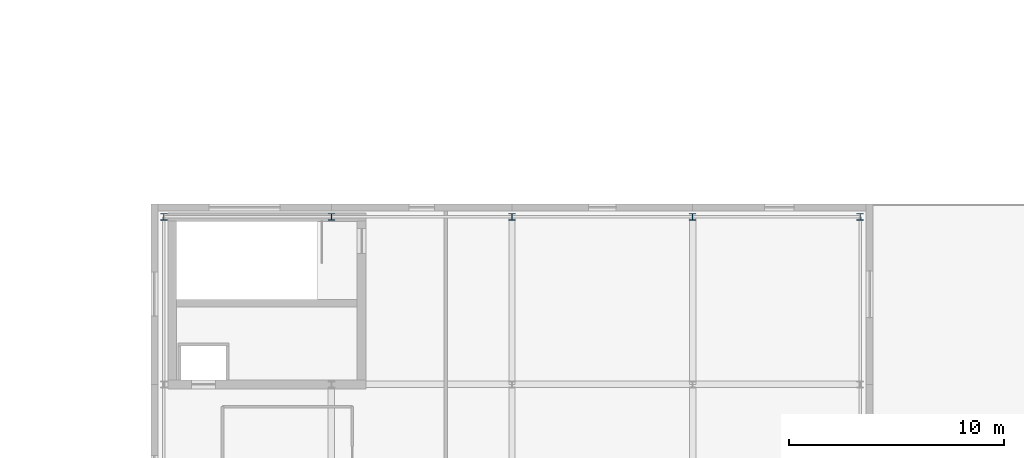
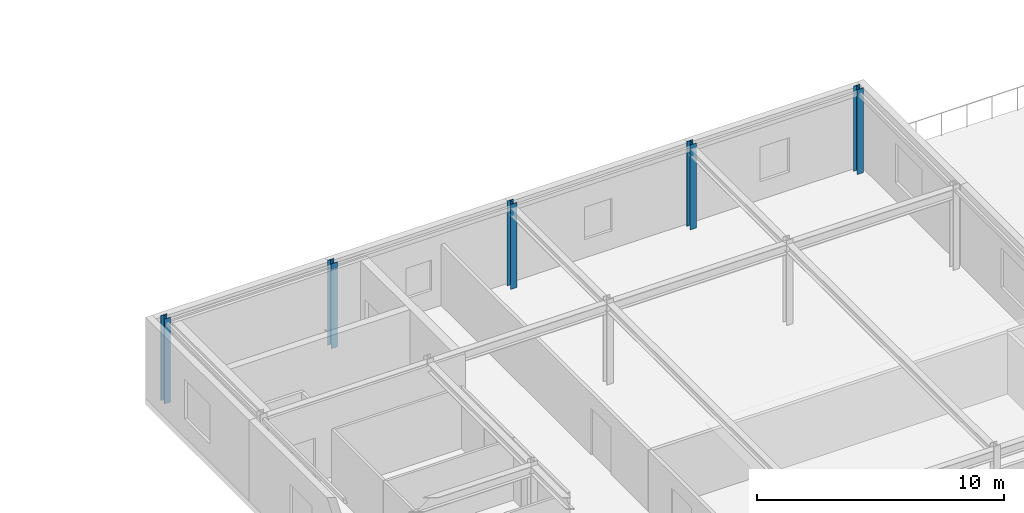
# One storey, part 16 of 127: 5 columns.
"""IFC4 building model written with IfcOpenShell, lengths in metres."""

import ifcopenshell
import ifcopenshell.guid

model = None  # the IFC model being written
_history = None  # IfcOwnerHistory: only IFC2X3 demands one
_inside = {}  # id of a spatial element -> (the spatial element, [elements in it])
_under = {}  # id of a project, library or spatial element -> (it, [spatial elements below it])
_declared = {}  # id of a project -> (the project, [libraries it declares])
_typed = {}  # id of a type object -> (the type object, [elements of that type])
_made_of = {}  # id of a material, layer set ... -> (it, [elements and type objects made of it])


def new_model(schema):
    """Start an empty IFC model of exactly this schema.

    Asked for "IFC4X3", IfcOpenShell would pick the latest addendum, in which some entities
    have other attributes; the version numbers below select the first issue.
    IFC2X3 requires an IfcOwnerHistory on every rooted entity: one is made here for all.
    """
    global model, _history
    if schema == "IFC4X3":
        model = ifcopenshell.file(schema_version=(4, 3, 0, 0))
    else:
        model = ifcopenshell.file(schema=schema)
    _inside.clear()
    _under.clear()
    _declared.clear()
    _typed.clear()
    _made_of.clear()
    _history = None
    if model.schema == "IFC2X3":
        org = make("IfcOrganization", Name="unknown")
        user = make(
            "IfcPersonAndOrganization",
            ThePerson=make("IfcPerson", FamilyName="unknown"),
            TheOrganization=org,
        )
        app = make(
            "IfcApplication",
            ApplicationDeveloper=org,
            Version="unknown",
            ApplicationFullName="unknown",
            ApplicationIdentifier="unknown",
        )
        _history = make(
            "IfcOwnerHistory",
            OwningUser=user,
            OwningApplication=app,
            ChangeAction="ADDED",
            CreationDate=0,
        )
    return model


def make(cls, **values):
    """One entity of the class cls with the attributes given. An attribute that is None is left unset."""
    return model.create_entity(
        cls, **{name: value for name, value in values.items() if value is not None}
    )


def rooted(cls, **values):
    """An entity with a GlobalId (a new one), such as an element, a storey or a relation."""
    return make(cls, GlobalId=ifcopenshell.guid.new(), OwnerHistory=_history, **values)


def si_unit(unit_type, name, prefix=None):
    """IfcSIUnit, for example si_unit("LENGTHUNIT", "METRE", prefix="MILLI")."""
    return make("IfcSIUnit", UnitType=unit_type, Prefix=prefix, Name=name)


def assignment(units):
    """IfcUnitAssignment: the units of a project."""
    return None if units is None else make("IfcUnitAssignment", Units=units)


def point(xyz):
    """IfcCartesianPoint."""
    return None if xyz is None else make("IfcCartesianPoint", Coordinates=xyz)


def direction(xyz):
    """IfcDirection."""
    return None if xyz is None else make("IfcDirection", DirectionRatios=xyz)


def frame(location, z_axis=None, x_axis=None):
    """IfcAxis2Placement3D, a coordinate frame: its origin and axes. An axis left out is left unset."""
    return make(
        "IfcAxis2Placement3D",
        Location=point(location),
        Axis=direction(z_axis),
        RefDirection=direction(x_axis),
    )


def frame_2d(location, x_axis=None):
    """IfcAxis2Placement2D, a coordinate frame in the plane: its origin and x axis."""
    return make(
        "IfcAxis2Placement2D", Location=point(location), RefDirection=direction(x_axis)
    )


def origin():
    """The frame at (0, 0, 0) with its axes left unset."""
    return frame((0.0, 0.0, 0.0))


def origin_2d():
    """The frame at (0, 0) in the plane with its x axis left unset."""
    return frame_2d((0.0, 0.0))


def place(relative_to, where):
    """IfcLocalPlacement: puts the frame where relative to a parent placement (None: the world)."""
    return make(
        "IfcLocalPlacement", PlacementRelTo=relative_to, RelativePlacement=where
    )


def context(
    kind, dimensions, precision=None, world=None, true_north=None, identifier=None
):
    """IfcGeometricRepresentationContext, for example the 3D "Model" context."""
    return make(
        "IfcGeometricRepresentationContext",
        ContextIdentifier=identifier,
        ContextType=kind,
        CoordinateSpaceDimension=dimensions,
        Precision=precision,
        WorldCoordinateSystem=world,
        TrueNorth=true_north,
    )


def subcontext(parent, identifier, kind, view, scale=None):
    """IfcGeometricRepresentationSubContext, for example "Body" below "Model"."""
    return make(
        "IfcGeometricRepresentationSubContext",
        ContextIdentifier=identifier,
        ContextType=kind,
        ParentContext=parent,
        TargetScale=scale,
        TargetView=view,
    )


def project(units=None, contexts=None):
    """IfcProject with its units and contexts."""
    return rooted(
        "IfcProject",
        Name="project",
        RepresentationContexts=contexts,
        UnitsInContext=assignment(units),
    )


def spatial(cls, under=None, at=None, **own):
    """A site, building, storey or space (cls), placed at a placement, below another one or the project."""
    s = rooted(cls, ObjectPlacement=at, **own)
    if under is not None:
        _under.setdefault(under.id(), (under, []))[1].append(s)
    return s


def profile(cls, at=None, kind="AREA", **sizes):
    """A parametric profile (cls). Its sizes go by their IFC names, for example OverallWidth=200.0."""
    return make(cls, ProfileType=kind, Position=at, **sizes)


def i_section(**sizes):
    """IfcIShapeProfileDef."""
    return profile("IfcIShapeProfileDef", **sizes)


def extrude(swept, where, along, depth):
    """IfcExtrudedAreaSolid: the profile swept, set in the frame where, extruded along a direction by depth."""
    return make(
        "IfcExtrudedAreaSolid",
        SweptArea=swept,
        Position=where,
        ExtrudedDirection=direction(along),
        Depth=depth,
    )


def shape(context_of_items, identifier, shape_type, items):
    """IfcShapeRepresentation: the items that make up one representation, for example the "Body"."""
    return make(
        "IfcShapeRepresentation",
        ContextOfItems=context_of_items,
        RepresentationIdentifier=identifier,
        RepresentationType=shape_type,
        Items=items,
    )


def material(Name=None, Category=None):
    """IfcMaterial."""
    return make("IfcMaterial", Name=Name, Category=Category)


def material_profile(
    of_material, cross_section, Name=None, Category=None, Priority=None
):
    """IfcMaterialProfile: a cross section and its material."""
    return make(
        "IfcMaterialProfile",
        Name=Name,
        Material=of_material,
        Profile=cross_section,
        Priority=Priority,
        Category=Category,
    )


def profile_set(profiles, Name=None, composite=None):
    """IfcMaterialProfileSet."""
    return make(
        "IfcMaterialProfileSet",
        Name=Name,
        MaterialProfiles=profiles,
        CompositeProfile=composite,
    )


def made_of(thing, what):
    """Note that an element or type object is made of a material, layer set ...; save() writes the relation."""
    if what is not None:
        _made_of.setdefault(what.id(), (what, []))[1].append(thing)
    return thing


def type_object(cls, material=None, **own):
    """A type object (cls), such as IfcWallType, which elements share."""
    return made_of(rooted(cls, **own), material)


def element(
    cls,
    number,
    at=None,
    inside=None,
    cuts=None,
    type_object=None,
    material=None,
    context=None,
    identifier="Body",
    shape_type=None,
    held_by="IfcProductDefinitionShape",
    body=None,
    shapes=None,
    **own,
):
    """One element of the class cls, such as IfcWall. Its Tag is "e" and its number.

    at: its placement. inside: the storey or other place that contains it. cuts: it is an
    opening in that element (IfcRelVoidsElement). A single representation is given by context,
    identifier, shape_type and body (its items); several are given by shapes. held_by: the class
    of the entity that holds the representations. save() writes the other relations.
    """
    e = rooted(cls, Tag="e%d" % number, ObjectPlacement=at, **own)
    if body is not None:
        shapes = [shape(context, identifier, shape_type, body)]
    if shapes is not None:
        e.Representation = make(held_by, Representations=shapes)
    if inside is not None:
        _inside.setdefault(inside.id(), (inside, []))[1].append(e)
    if cuts is not None:
        rooted(
            "IfcRelVoidsElement", RelatingBuildingElement=cuts, RelatedOpeningElement=e
        )
    if type_object is not None:
        _typed.setdefault(type_object.id(), (type_object, []))[1].append(e)
    return made_of(e, material)


def aggregate(whole, parts):
    """IfcRelAggregates: a whole, such as a stair, and the parts it consists of."""
    return rooted("IfcRelAggregates", RelatingObject=whole, RelatedObjects=parts)


def save(model, path):
    """Write the relations noted so far, then the file.

    IfcRelAggregates (storeys below a building ...), IfcRelContainedInSpatialStructure (elements
    in a storey), IfcRelDefinesByType, IfcRelAssociatesMaterial and IfcRelDeclares: one each for
    every whole, place, type object, material and project.
    """
    for whole, parts in _under.values():
        aggregate(whole, parts)
    for where, things in _inside.values():
        rooted(
            "IfcRelContainedInSpatialStructure",
            RelatedElements=things,
            RelatingStructure=where,
        )
    for kind, things in _typed.values():
        rooted("IfcRelDefinesByType", RelatedObjects=things, RelatingType=kind)
    for what, things in _made_of.values():
        rooted("IfcRelAssociatesMaterial", RelatedObjects=things, RelatingMaterial=what)
    for by, libraries in _declared.values():
        rooted("IfcRelDeclares", RelatingContext=by, RelatedDefinitions=libraries)
    model.write(path)


model = new_model("IFC4")

# Units and contexts
model_context = context("Model", 3, precision=1e-05, world=origin(), true_north=direction((0.0, 1.0)))
body_context = subcontext(model_context, "Body", "Model", "MODEL_VIEW")
ifc_project = project(units=[si_unit("LENGTHUNIT", "METRE"), si_unit("AREAUNIT", "SQUARE_METRE"), si_unit("VOLUMEUNIT", "CUBIC_METRE"), si_unit("PLANEANGLEUNIT", "RADIAN"), si_unit("MASSUNIT", "GRAM", prefix="KILO")], contexts=[model_context])

# Site, building, storey
site_placement = place(None, origin())
site = spatial("IfcSite", under=ifc_project, at=site_placement, CompositionType="ELEMENT")
building_placement = place(site_placement, origin())
building = spatial("IfcBuilding", under=site, at=building_placement, Name="Zayran Congress Hotel", CompositionType="ELEMENT")
storey_placement = place(building_placement, frame((0.0, 0.0, 10.800048828125)))
storey = spatial("IfcBuildingStorey", under=building, at=storey_placement, Name="L02", CompositionType="ELEMENT", Elevation=10.800048828125)

# Columns
ifc_material = material(Name="Steel S355", Category="steel")
ifc_material_profile = material_profile(ifc_material, i_section(OverallWidth=0.300048828125, OverallDepth=0.300048828125, WebThickness=0.010986328125, FlangeThickness=0.01904296875, at=origin_2d()), Name="HEB 300")
ifc_profile_set = profile_set([ifc_material_profile], Name="Steel S355")
column_type = type_object("IfcColumnType", Name="TP-CL-08", PredefinedType="COLUMN", material=ifc_profile_set)
for number, where, z_axis, x_axis, name in (
    (1, (151.800048828125, 41.800048828125, 0.0), (0.0, 0.0, 1.0), (1.0, 0.0, 0.0), "COL-V3-L02-0684"),
    (2, (159.60009765625, 41.800048828125, 0.0), (0.0, 0.0, 1.0), (1.0, 0.0, 0.0), "COL-V3-L02-0689"),
    (3, (168.0, 41.800048828125, 0.0), (0.0, 0.0, 1.0), (1.0, 0.0, 0.0), "COL-V3-L02-0693"),
    (4, (176.39990234375, 41.800048828125, 0.0), (0.0, 0.0, 1.0), (1.0, 0.0, 0.0), "COL-V3-L02-0697"),
    (5, (184.199951171875, 41.800048828125, 0.0), (0.0, 0.0, 1.0), (1.0, 0.0, 0.0), "COL-V3-L02-0702"),
):
    element("IfcColumn", number, at=place(storey_placement, frame(where, z_axis=z_axis, x_axis=x_axis)), inside=storey, type_object=column_type, Name=name, PredefinedType="COLUMN", context=body_context, shape_type="SweptSolid", body=[
        extrude(i_section(OverallWidth=0.300048828125, OverallDepth=0.300048828125, WebThickness=0.010986328125, FlangeThickness=0.01904296875, at=origin_2d()), origin(), (0.0, 0.0, 1.0), 4.199951171875),
    ])

save(model, "model.ifc")
